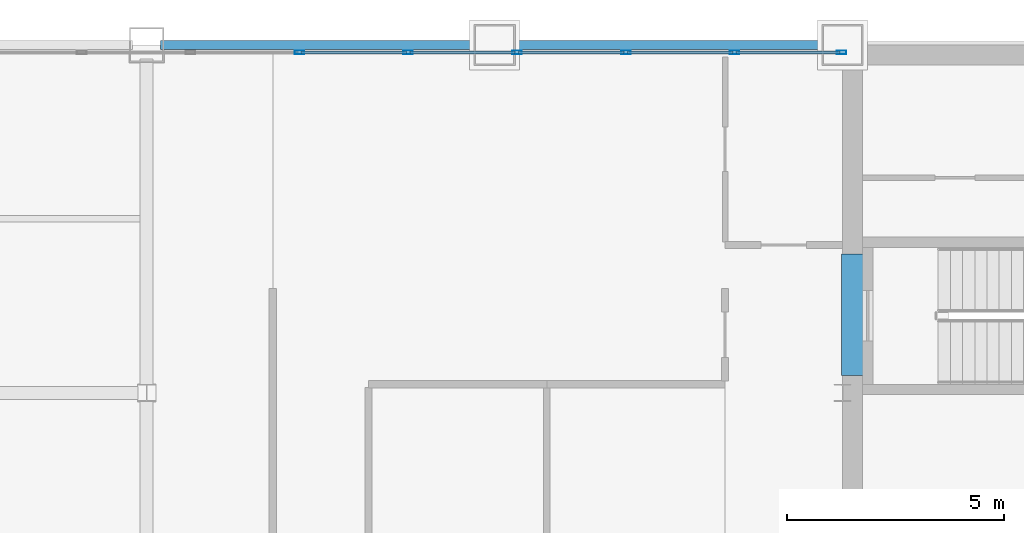
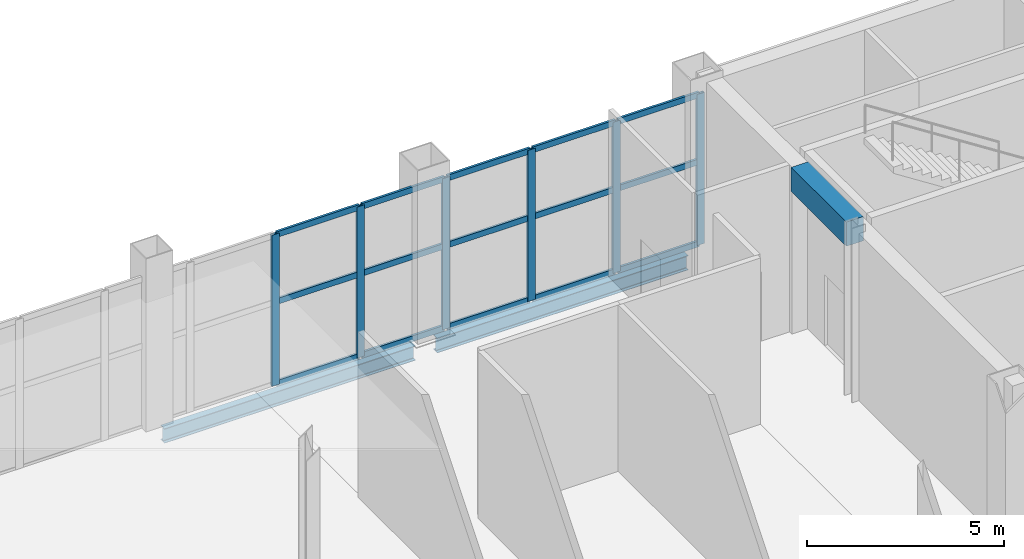
# One storey, part 15 of 21: 21 members, 3 beams, 1 element without a shape of its own.
"""IFC4 building model written with IfcOpenShell, lengths in metres."""

from ifc_helpers import new_model, si_unit, direction, frame, origin, origin_2d, place, context, subcontext, project, spatial, rectangle, hollow_rectangle, i_section, extrude, material, layer, layer_set, material_profile, profile_set, type_object, element, aggregate, save


model = new_model("IFC4")

# Units and contexts
model_context = context("Model", 3, precision=1e-05, world=origin(), true_north=direction((0.0, 1.0)))
body_context = subcontext(model_context, "Body", "Model", "MODEL_VIEW")
ifc_project = project(units=[si_unit("LENGTHUNIT", "METRE"), si_unit("AREAUNIT", "SQUARE_METRE"), si_unit("VOLUMEUNIT", "CUBIC_METRE"), si_unit("PLANEANGLEUNIT", "RADIAN"), si_unit("MASSUNIT", "GRAM", prefix="KILO")], contexts=[model_context])

# Site, building, storey
site_placement = place(None, origin())
site = spatial("IfcSite", under=ifc_project, at=site_placement, CompositionType="ELEMENT")
building_placement = place(site_placement, origin())
building = spatial("IfcBuilding", under=site, at=building_placement, Name="Qianrong Seaharbour Tower", CompositionType="ELEMENT")
storey_placement = place(building_placement, frame((0.0, 0.0, 200.39990234375)))
storey = spatial("IfcBuildingStorey", under=building, at=storey_placement, Name="L48", CompositionType="ELEMENT", Elevation=200.39990234375)

# Beams
ifc_material_1 = material(Name="Concrete C60/75", Category="concrete")
ifc_material_profile_1 = material_profile(ifc_material_1, rectangle(XDim=0.5, YDim=0.75, at=origin_2d()), Name="RC500x750")
ifc_profile_set_1 = profile_set([ifc_material_profile_1], Name="Concrete C60/75")
beam_type_1 = type_object("IfcBeamType", Name="BM-LINTEL-750", PredefinedType="LINTEL", material=ifc_profile_set_1)
beam_placement = place(storey_placement, frame((40.72998046875, 44.39990234375, 4.800048828125), z_axis=(0.0, 1.0, 0.0), x_axis=(-1.0, 0.0, 0.0)))
element("IfcBeam", 1, at=beam_placement, inside=storey, type_object=beam_type_1, Name="L48 Core Coupling Lintel Beam West", PredefinedType="LINTEL", context=body_context, shape_type="SweptSolid", body=[
    extrude(rectangle(XDim=0.5, YDim=0.75, at=origin_2d()), origin(), (0.0, 0.0, 1.0), 2.800048828125),
])
ifc_material_2 = material(Name="Structural steel SN400B", Category="steel")
ifc_material_profile_2 = material_profile(ifc_material_2, i_section(OverallWidth=0.199951171875, OverallDepth=0.449951171875, WebThickness=0.009033203125, FlangeThickness=0.013916015625, FilletRadius=0.01806640625, at=origin_2d()), Name="H450x200x9x14")
ifc_profile_set_2 = profile_set([ifc_material_profile_2], Name="Structural steel SN400B")
beam_type_2 = type_object("IfcBeamType", Name="BM-SP-450", PredefinedType="SPANDREL", material=ifc_profile_set_2)
for number, where, z_axis, x_axis, name in (
    (2, (24.820068359375, 52.0, -0.52490234375), (1.0, 0.0, 0.0), (0.0, 1.0, 0.0), "L48 Spandrel Girder GH G4-G5"),
    (3, (32.820068359375, 52.0, -0.52490234375), (1.0, 0.0, 0.0), (0.0, 1.0, 0.0), "L48 Spandrel Girder GH G5-G6"),
):
    element("IfcBeam", number, at=place(storey_placement, frame(where, z_axis=z_axis, x_axis=x_axis)), inside=storey, type_object=beam_type_2, Name=name, PredefinedType="SPANDREL", context=body_context, shape_type="SweptSolid", body=[
        extrude(i_section(OverallWidth=0.199951171875, OverallDepth=0.449951171875, WebThickness=0.009033203125, FlangeThickness=0.013916015625, FilletRadius=0.01806640625, at=origin_2d()), origin(), (0.0, 0.0, 1.0), 7.35986328125),
    ])

# Curtain wall, members
ifc_material_3 = material(Name="Anodised aluminium 6063-T6 and laminated low-e glass", Category="aluminium")
ifc_layer = layer(ifc_material_3, 0.2099609375)
ifc_layer_set = layer_set([ifc_layer], Name="Anodised aluminium 6063-T6 and laminated low-e glass")
curtain_wall_type = type_object("IfcCurtainWallType", Name="CW-SYS-2", PredefinedType="NOTDEFINED", material=ifc_layer_set)
curtain_wall_placement = place(storey_placement, origin())
curtain_wall = element("IfcCurtainWall", 4, at=curtain_wall_placement, inside=storey, type_object=curtain_wall_type, Name="L48 Sky-Lobby Feature Curtain Wall NORTH_WING", PredefinedType="NOTDEFINED")
ifc_material_4 = material(Name="Extruded aluminium 6063-T6", Category="aluminium")
ifc_material_profile_3 = material_profile(ifc_material_4, hollow_rectangle(XDim=0.080078125, YDim=0.219970703125, WallThickness=0.0048828125, at=origin_2d()), Name="ALU-MUL-220x80x5")
ifc_profile_set_3 = profile_set([ifc_material_profile_3], Name="Extruded aluminium 6063-T6")
member_type_1 = type_object("IfcMemberType", Name="CW-MUL-220", PredefinedType="MULLION", material=ifc_profile_set_3)
member_1_placement = place(storey_placement, frame((28.010986328125, 51.830078125, 0.0), z_axis=(0.0, 0.0, 1.0), x_axis=(0.0, 1.0, 0.0)))
member_1 = element("IfcMember", 5, at=member_1_placement, type_object=member_type_1, Name="CW-2 mullion 7", PredefinedType="MULLION", context=body_context, shape_type="SweptSolid", body=[
    extrude(hollow_rectangle(XDim=0.080078125, YDim=0.219970703125, WallThickness=0.0048828125, at=origin_2d()), origin(), (0.0, 0.0, 1.0), 4.68505859375),
])
member_2_placement = place(storey_placement, frame((30.5126953125, 51.830078125, 0.0), z_axis=(0.0, 0.0, 1.0), x_axis=(0.0, 1.0, 0.0)))
member_2 = element("IfcMember", 6, at=member_2_placement, type_object=member_type_1, Name="CW-2 mullion 8", PredefinedType="MULLION", context=body_context, shape_type="SweptSolid", body=[
    extrude(hollow_rectangle(XDim=0.080078125, YDim=0.219970703125, WallThickness=0.0048828125, at=origin_2d()), origin(), (0.0, 0.0, 1.0), 4.68505859375),
])
member_3_placement = place(storey_placement, frame((33.0146484375, 51.830078125, 0.0), z_axis=(0.0, 0.0, 1.0), x_axis=(0.0, 1.0, 0.0)))
member_3 = element("IfcMember", 7, at=member_3_placement, type_object=member_type_1, Name="CW-2 mullion 9", PredefinedType="MULLION", context=body_context, shape_type="SweptSolid", body=[
    extrude(hollow_rectangle(XDim=0.080078125, YDim=0.219970703125, WallThickness=0.0048828125, at=origin_2d()), origin(), (0.0, 0.0, 1.0), 4.68505859375),
])
member_4_placement = place(storey_placement, frame((35.516357421875, 51.830078125, 0.0), z_axis=(0.0, 0.0, 1.0), x_axis=(0.0, 1.0, 0.0)))
member_4 = element("IfcMember", 8, at=member_4_placement, type_object=member_type_1, Name="CW-2 mullion 10", PredefinedType="MULLION", context=body_context, shape_type="SweptSolid", body=[
    extrude(hollow_rectangle(XDim=0.080078125, YDim=0.219970703125, WallThickness=0.0048828125, at=origin_2d()), origin(), (0.0, 0.0, 1.0), 4.68505859375),
])
member_5_placement = place(storey_placement, frame((38.01806640625, 51.830078125, 0.0), z_axis=(0.0, 0.0, 1.0), x_axis=(0.0, 1.0, 0.0)))
member_5 = element("IfcMember", 9, at=member_5_placement, type_object=member_type_1, Name="CW-2 mullion 11", PredefinedType="MULLION", context=body_context, shape_type="SweptSolid", body=[
    extrude(hollow_rectangle(XDim=0.080078125, YDim=0.219970703125, WallThickness=0.0048828125, at=origin_2d()), origin(), (0.0, 0.0, 1.0), 4.68505859375),
])
member_6_placement = place(storey_placement, frame((40.47998046875, 51.830078125, 0.0), z_axis=(0.0, 0.0, 1.0), x_axis=(0.0, 1.0, 0.0)))
member_6 = element("IfcMember", 10, at=member_6_placement, type_object=member_type_1, Name="CW-2 mullion 12", PredefinedType="MULLION", context=body_context, shape_type="SweptSolid", body=[
    extrude(hollow_rectangle(XDim=0.080078125, YDim=0.219970703125, WallThickness=0.0048828125, at=origin_2d()), origin(), (0.0, 0.0, 1.0), 4.68505859375),
])
ifc_material_profile_4 = material_profile(ifc_material_4, hollow_rectangle(XDim=0.070068359375, YDim=0.179931640625, WallThickness=0.00390625, at=origin_2d()), Name="ALU-TRN-180x70x4")
ifc_profile_set_4 = profile_set([ifc_material_profile_4], Name="Extruded aluminium 6063-T6")
member_type_2 = type_object("IfcMemberType", Name="CW-TRN-180", PredefinedType="USERDEFINED", material=ifc_profile_set_4)
member_7_placement = place(storey_placement, frame((28.051025390625, 51.830078125, 0.03515625), z_axis=(1.0, 0.0, 0.0), x_axis=(0.0, 1.0, 0.0)))
member_7 = element("IfcMember", 11, at=member_7_placement, type_object=member_type_2, Name="CW-2 transom 7.1", ObjectType="TRANSOM", PredefinedType="USERDEFINED", context=body_context, shape_type="SweptSolid", body=[
    extrude(hollow_rectangle(XDim=0.070068359375, YDim=0.179931640625, WallThickness=0.00390625, at=origin_2d()), origin(), (0.0, 0.0, 1.0), 2.421630859375),
])
member_8_placement = place(storey_placement, frame((28.051025390625, 51.830078125, 2.576904296875), z_axis=(1.0, 0.0, 0.0), x_axis=(0.0, 1.0, 0.0)))
member_8 = element("IfcMember", 12, at=member_8_placement, type_object=member_type_2, Name="CW-2 transom 7.2", ObjectType="TRANSOM", PredefinedType="USERDEFINED", context=body_context, shape_type="SweptSolid", body=[
    extrude(hollow_rectangle(XDim=0.070068359375, YDim=0.179931640625, WallThickness=0.00390625, at=origin_2d()), origin(), (0.0, 0.0, 1.0), 2.421630859375),
])
member_9_placement = place(storey_placement, frame((28.051025390625, 51.830078125, 4.650146484375), z_axis=(1.0, 0.0, 0.0), x_axis=(0.0, 1.0, 0.0)))
member_9 = element("IfcMember", 13, at=member_9_placement, type_object=member_type_2, Name="CW-2 transom 7.3", ObjectType="TRANSOM", PredefinedType="USERDEFINED", context=body_context, shape_type="SweptSolid", body=[
    extrude(hollow_rectangle(XDim=0.070068359375, YDim=0.179931640625, WallThickness=0.00390625, at=origin_2d()), origin(), (0.0, 0.0, 1.0), 2.421630859375),
])
member_10_placement = place(storey_placement, frame((30.552734375, 51.830078125, 0.03515625), z_axis=(1.0, 0.0, 0.0), x_axis=(0.0, 1.0, 0.0)))
member_10 = element("IfcMember", 14, at=member_10_placement, type_object=member_type_2, Name="CW-2 transom 8.1", ObjectType="TRANSOM", PredefinedType="USERDEFINED", context=body_context, shape_type="SweptSolid", body=[
    extrude(hollow_rectangle(XDim=0.070068359375, YDim=0.179931640625, WallThickness=0.00390625, at=origin_2d()), origin(), (0.0, 0.0, 1.0), 2.421875),
])
member_11_placement = place(storey_placement, frame((30.552734375, 51.830078125, 2.576904296875), z_axis=(1.0, 0.0, 0.0), x_axis=(0.0, 1.0, 0.0)))
member_11 = element("IfcMember", 15, at=member_11_placement, type_object=member_type_2, Name="CW-2 transom 8.2", ObjectType="TRANSOM", PredefinedType="USERDEFINED", context=body_context, shape_type="SweptSolid", body=[
    extrude(hollow_rectangle(XDim=0.070068359375, YDim=0.179931640625, WallThickness=0.00390625, at=origin_2d()), origin(), (0.0, 0.0, 1.0), 2.421875),
])
member_12_placement = place(storey_placement, frame((30.552734375, 51.830078125, 4.650146484375), z_axis=(1.0, 0.0, 0.0), x_axis=(0.0, 1.0, 0.0)))
member_12 = element("IfcMember", 16, at=member_12_placement, type_object=member_type_2, Name="CW-2 transom 8.3", ObjectType="TRANSOM", PredefinedType="USERDEFINED", context=body_context, shape_type="SweptSolid", body=[
    extrude(hollow_rectangle(XDim=0.070068359375, YDim=0.179931640625, WallThickness=0.00390625, at=origin_2d()), origin(), (0.0, 0.0, 1.0), 2.421875),
])
member_13_placement = place(storey_placement, frame((33.054443359375, 51.830078125, 0.03515625), z_axis=(1.0, 0.0, 0.0), x_axis=(0.0, 1.0, 0.0)))
member_13 = element("IfcMember", 17, at=member_13_placement, type_object=member_type_2, Name="CW-2 transom 9.1", ObjectType="TRANSOM", PredefinedType="USERDEFINED", context=body_context, shape_type="SweptSolid", body=[
    extrude(hollow_rectangle(XDim=0.070068359375, YDim=0.179931640625, WallThickness=0.00390625, at=origin_2d()), origin(), (0.0, 0.0, 1.0), 2.421875),
])
member_14_placement = place(storey_placement, frame((33.054443359375, 51.830078125, 2.576904296875), z_axis=(1.0, 0.0, 0.0), x_axis=(0.0, 1.0, 0.0)))
member_14 = element("IfcMember", 18, at=member_14_placement, type_object=member_type_2, Name="CW-2 transom 9.2", ObjectType="TRANSOM", PredefinedType="USERDEFINED", context=body_context, shape_type="SweptSolid", body=[
    extrude(hollow_rectangle(XDim=0.070068359375, YDim=0.179931640625, WallThickness=0.00390625, at=origin_2d()), origin(), (0.0, 0.0, 1.0), 2.421875),
])
member_15_placement = place(storey_placement, frame((33.054443359375, 51.830078125, 4.650146484375), z_axis=(1.0, 0.0, 0.0), x_axis=(0.0, 1.0, 0.0)))
member_15 = element("IfcMember", 19, at=member_15_placement, type_object=member_type_2, Name="CW-2 transom 9.3", ObjectType="TRANSOM", PredefinedType="USERDEFINED", context=body_context, shape_type="SweptSolid", body=[
    extrude(hollow_rectangle(XDim=0.070068359375, YDim=0.179931640625, WallThickness=0.00390625, at=origin_2d()), origin(), (0.0, 0.0, 1.0), 2.421875),
])
member_16_placement = place(storey_placement, frame((35.556396484375, 51.830078125, 0.03515625), z_axis=(1.0, 0.0, 0.0), x_axis=(0.0, 1.0, 0.0)))
member_16 = element("IfcMember", 20, at=member_16_placement, type_object=member_type_2, Name="CW-2 transom 10.1", ObjectType="TRANSOM", PredefinedType="USERDEFINED", context=body_context, shape_type="SweptSolid", body=[
    extrude(hollow_rectangle(XDim=0.070068359375, YDim=0.179931640625, WallThickness=0.00390625, at=origin_2d()), origin(), (0.0, 0.0, 1.0), 2.421875),
])
member_17_placement = place(storey_placement, frame((35.556396484375, 51.830078125, 2.576904296875), z_axis=(1.0, 0.0, 0.0), x_axis=(0.0, 1.0, 0.0)))
member_17 = element("IfcMember", 21, at=member_17_placement, type_object=member_type_2, Name="CW-2 transom 10.2", ObjectType="TRANSOM", PredefinedType="USERDEFINED", context=body_context, shape_type="SweptSolid", body=[
    extrude(hollow_rectangle(XDim=0.070068359375, YDim=0.179931640625, WallThickness=0.00390625, at=origin_2d()), origin(), (0.0, 0.0, 1.0), 2.421875),
])
member_18_placement = place(storey_placement, frame((35.556396484375, 51.830078125, 4.650146484375), z_axis=(1.0, 0.0, 0.0), x_axis=(0.0, 1.0, 0.0)))
member_18 = element("IfcMember", 22, at=member_18_placement, type_object=member_type_2, Name="CW-2 transom 10.3", ObjectType="TRANSOM", PredefinedType="USERDEFINED", context=body_context, shape_type="SweptSolid", body=[
    extrude(hollow_rectangle(XDim=0.070068359375, YDim=0.179931640625, WallThickness=0.00390625, at=origin_2d()), origin(), (0.0, 0.0, 1.0), 2.421875),
])
member_19_placement = place(storey_placement, frame((38.05810546875, 51.830078125, 0.03515625), z_axis=(1.0, 0.0, 0.0), x_axis=(0.0, 1.0, 0.0)))
member_19 = element("IfcMember", 23, at=member_19_placement, type_object=member_type_2, Name="CW-2 transom 11.1", ObjectType="TRANSOM", PredefinedType="USERDEFINED", context=body_context, shape_type="SweptSolid", body=[
    extrude(hollow_rectangle(XDim=0.070068359375, YDim=0.179931640625, WallThickness=0.00390625, at=origin_2d()), origin(), (0.0, 0.0, 1.0), 2.3818359375),
])
member_20_placement = place(storey_placement, frame((38.05810546875, 51.830078125, 2.576904296875), z_axis=(1.0, 0.0, 0.0), x_axis=(0.0, 1.0, 0.0)))
member_20 = element("IfcMember", 24, at=member_20_placement, type_object=member_type_2, Name="CW-2 transom 11.2", ObjectType="TRANSOM", PredefinedType="USERDEFINED", context=body_context, shape_type="SweptSolid", body=[
    extrude(hollow_rectangle(XDim=0.070068359375, YDim=0.179931640625, WallThickness=0.00390625, at=origin_2d()), origin(), (0.0, 0.0, 1.0), 2.3818359375),
])
member_21_placement = place(storey_placement, frame((38.05810546875, 51.830078125, 4.650146484375), z_axis=(1.0, 0.0, 0.0), x_axis=(0.0, 1.0, 0.0)))
member_21 = element("IfcMember", 25, at=member_21_placement, type_object=member_type_2, Name="CW-2 transom 11.3", ObjectType="TRANSOM", PredefinedType="USERDEFINED", context=body_context, shape_type="SweptSolid", body=[
    extrude(hollow_rectangle(XDim=0.070068359375, YDim=0.179931640625, WallThickness=0.00390625, at=origin_2d()), origin(), (0.0, 0.0, 1.0), 2.3818359375),
])
aggregate(curtain_wall, [member_1, member_2, member_3, member_4, member_5, member_6, member_7, member_8, member_9, member_10, member_11, member_12, member_13, member_14, member_15, member_16, member_17, member_18, member_19, member_20, member_21])

save(model, "model.ifc")
